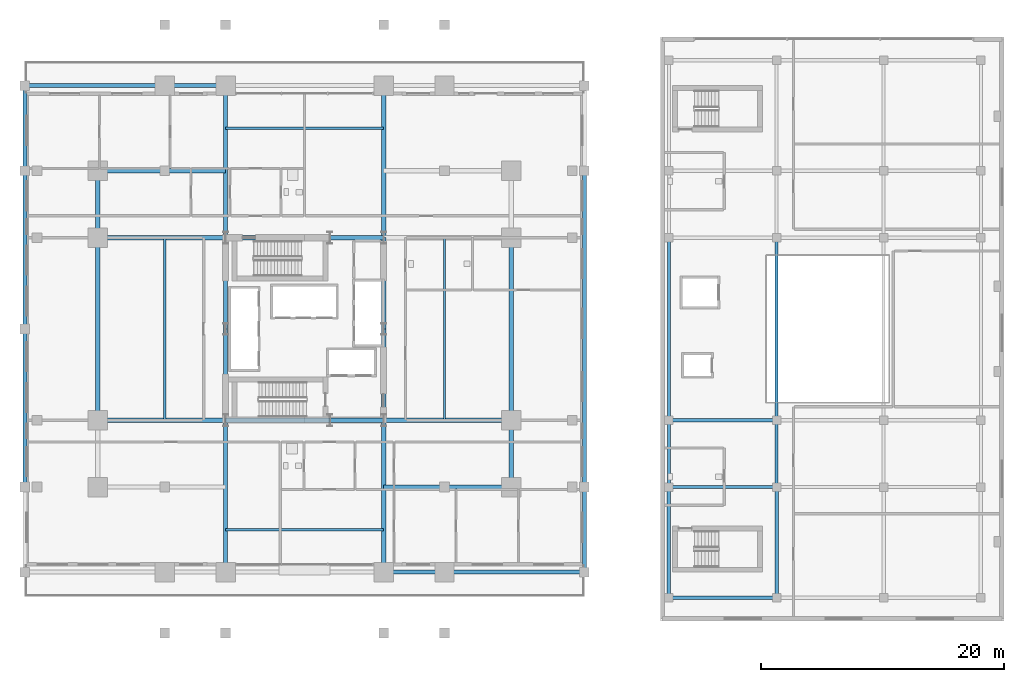
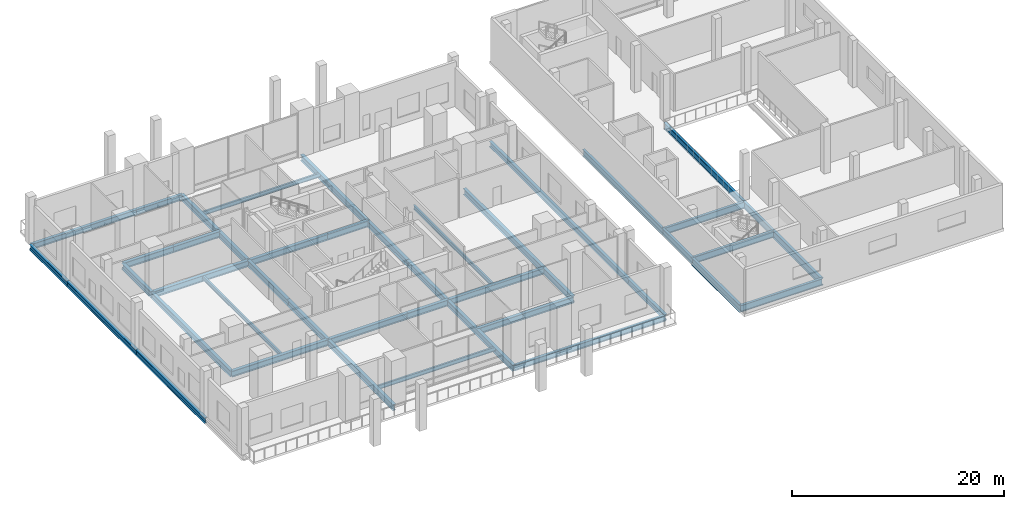
# One storey, part 4 of 22: 45 beams.
"""IFC4 building model written with IfcOpenShell, lengths in metres."""

from ifc_helpers import new_model, si_unit, direction, frame, origin, origin_2d, place, context, subcontext, project, spatial, i_section, extrude, material, material_profile, profile_set, type_object, element, save


model = new_model("IFC4")

# Units and contexts
model_context = context("Model", 3, precision=1e-05, world=origin(), true_north=direction((0.0, 1.0)))
body_context = subcontext(model_context, "Body", "Model", "MODEL_VIEW")
ifc_project = project(units=[si_unit("LENGTHUNIT", "METRE"), si_unit("AREAUNIT", "SQUARE_METRE"), si_unit("VOLUMEUNIT", "CUBIC_METRE"), si_unit("PLANEANGLEUNIT", "RADIAN"), si_unit("MASSUNIT", "GRAM", prefix="KILO")], contexts=[model_context])

# Site, building, storey
site_placement = place(None, origin())
site = spatial("IfcSite", under=ifc_project, at=site_placement, CompositionType="ELEMENT")
building_placement = place(site_placement, origin())
building = spatial("IfcBuilding", under=site, at=building_placement, Name="Barlavira Tower and Art Museum", CompositionType="ELEMENT")
storey_placement = place(building_placement, frame((0.0, 0.0, 16.800048828125)))
storey = spatial("IfcBuildingStorey", under=building, at=storey_placement, Name="L03", CompositionType="ELEMENT", Elevation=16.800048828125)

# Beams
ifc_material = material(Name="Steel S355", Category="steel")
ifc_material_profile_1 = material_profile(ifc_material, i_section(OverallWidth=0.2939453125, OverallDepth=0.85107421875, WebThickness=0.017333984375, FlangeThickness=0.0283203125, at=origin_2d()), Name="W840x251.0")
ifc_profile_set_1 = profile_set([ifc_material_profile_1], Name="Steel S355")
beam_type_1 = type_object("IfcBeamType", Name="Museum Auditorium Heavy Girder W840x251 Steel S355", PredefinedType="BEAM", material=ifc_profile_set_1)
for number, where, z_axis, x_axis, name in (
    (1, (29.949951171875, -22.10009765625, -0.74560546875), (0.0, 1.0, 0.0), (-1.0, 0.0, 0.0), "L03 Museum Girder Y 1-1"),
    (2, (38.800048828125, -22.10009765625, -0.74560546875), (0.0, 1.0, 0.0), (-1.0, 0.0, 0.0), "L03 Museum Girder Y 2-1"),
):
    element("IfcBeam", number, at=place(storey_placement, frame(where, z_axis=z_axis, x_axis=x_axis)), inside=storey, type_object=beam_type_1, Name=name, PredefinedType="BEAM", context=body_context, shape_type="SweptSolid", body=[
        extrude(i_section(OverallWidth=0.2939453125, OverallDepth=0.85107421875, WebThickness=0.017333984375, FlangeThickness=0.0283203125, at=origin_2d()), origin(), (0.0, 0.0, 1.0), 9.10009765625),
    ])
ifc_material_profile_2 = material_profile(ifc_material, i_section(OverallWidth=0.26904296875, OverallDepth=0.76806640625, WebThickness=0.016845703125, FlangeThickness=0.026611328125, at=origin_2d()), Name="W760x220.0")
ifc_profile_set_2 = profile_set([ifc_material_profile_2], Name="Steel S355")
beam_type_2 = type_object("IfcBeamType", Name="Museum Long-Span Gallery Girder W760x220 Steel S355", PredefinedType="BEAM", material=ifc_profile_set_2)
beam_1_placement = place(storey_placement, frame((29.949951171875, -13.0, -0.7041015625), z_axis=(0.0, 1.0, 0.0), x_axis=(-1.0, 0.0, 0.0)))
element("IfcBeam", 3, at=beam_1_placement, inside=storey, type_object=beam_type_2, Name="L03 Museum Girder Y 1-2", PredefinedType="BEAM", context=body_context, shape_type="SweptSolid", body=[
    extrude(i_section(OverallWidth=0.26904296875, OverallDepth=0.76806640625, WebThickness=0.016845703125, FlangeThickness=0.026611328125, at=origin_2d()), origin(), (0.0, 0.0, 1.0), 5.5),
])
beam_2_placement = place(storey_placement, frame((29.949951171875, -7.5, -0.7041015625), z_axis=(0.0, 1.0, 0.0), x_axis=(-1.0, 0.0, 0.0)))
element("IfcBeam", 4, at=beam_2_placement, inside=storey, type_object=beam_type_2, Name="L03 Museum Girder Y 1-3", PredefinedType="BEAM", context=body_context, shape_type="SweptSolid", body=[
    extrude(i_section(OverallWidth=0.26904296875, OverallDepth=0.76806640625, WebThickness=0.016845703125, FlangeThickness=0.026611328125, at=origin_2d()), origin(), (0.0, 0.0, 1.0), 15.0),
])
beam_3_placement = place(storey_placement, frame((38.800048828125, -13.0, -0.7041015625), z_axis=(0.0, 1.0, 0.0), x_axis=(-1.0, 0.0, 0.0)))
element("IfcBeam", 5, at=beam_3_placement, inside=storey, type_object=beam_type_2, Name="L03 Museum Girder Y 2-2", PredefinedType="BEAM", context=body_context, shape_type="SweptSolid", body=[
    extrude(i_section(OverallWidth=0.26904296875, OverallDepth=0.76806640625, WebThickness=0.016845703125, FlangeThickness=0.026611328125, at=origin_2d()), origin(), (0.0, 0.0, 1.0), 5.5),
])
beam_4_placement = place(storey_placement, frame((38.800048828125, -7.5, -0.7041015625), z_axis=(0.0, 1.0, 0.0), x_axis=(-1.0, 0.0, 0.0)))
element("IfcBeam", 6, at=beam_4_placement, inside=storey, type_object=beam_type_2, Name="L03 Museum Girder Y 2-3", PredefinedType="BEAM", context=body_context, shape_type="SweptSolid", body=[
    extrude(i_section(OverallWidth=0.26904296875, OverallDepth=0.76806640625, WebThickness=0.016845703125, FlangeThickness=0.026611328125, at=origin_2d()), origin(), (0.0, 0.0, 1.0), 15.0),
])
for number, where, z_axis, x_axis, name in (
    (7, (29.949951171875, -22.10009765625, -0.7041015625), (1.0, 0.0, 0.0), (0.0, 1.0, 0.0), "L03 Museum Girder X 1-1"),
    (8, (29.949951171875, -13.0, -0.7041015625), (1.0, 0.0, 0.0), (0.0, 1.0, 0.0), "L03 Museum Girder X 2-1"),
    (9, (29.949951171875, -7.5, -0.7041015625), (1.0, 0.0, 0.0), (0.0, 1.0, 0.0), "L03 Museum Girder X 3-1"),
):
    element("IfcBeam", number, at=place(storey_placement, frame(where, z_axis=z_axis, x_axis=x_axis)), inside=storey, type_object=beam_type_2, Name=name, PredefinedType="BEAM", context=body_context, shape_type="SweptSolid", body=[
        extrude(i_section(OverallWidth=0.26904296875, OverallDepth=0.76806640625, WebThickness=0.016845703125, FlangeThickness=0.026611328125, at=origin_2d()), origin(), (0.0, 0.0, 1.0), 8.85009765625),
    ])
ifc_material_profile_3 = material_profile(ifc_material, i_section(OverallWidth=0.327880859375, OverallDepth=0.62890625, WebThickness=0.013916015625, FlangeThickness=0.021484375, at=origin_2d()), Name="W610x174.0")
ifc_profile_set_3 = profile_set([ifc_material_profile_3], Name="Steel S355")
beam_type_3 = type_object("IfcBeamType", Name="Perimeter Spandrel Edge Beam W610x174 Steel S355", PredefinedType="SPANDREL", material=ifc_profile_set_3)
beam_5_placement = place(storey_placement, frame((6.5, -20.0, -0.594482421875), z_axis=(1.0, 0.0, 0.0), x_axis=(0.0, 1.0, 0.0)))
element("IfcBeam", 10, at=beam_5_placement, inside=storey, type_object=beam_type_3, Name="L03 Podium Spandrel PS4", PredefinedType="SPANDREL", context=body_context, shape_type="SweptSolid", body=[
    extrude(i_section(OverallWidth=0.327880859375, OverallDepth=0.62890625, WebThickness=0.013916015625, FlangeThickness=0.021484375, at=origin_2d()), origin(), (0.0, 0.0, 1.0), 5.0),
])
for number, where, z_axis, x_axis, name in (
    (11, (11.5, -20.0, -0.594482421875), (1.0, 0.0, 0.0), (0.0, 1.0, 0.0), "L03 Podium Spandrel PS5"),
    (12, (-23.0, 20.0, -0.594482421875), (1.0, 0.0, 0.0), (0.0, 1.0, 0.0), "L03 Podium Spandrel PN1"),
):
    element("IfcBeam", number, at=place(storey_placement, frame(where, z_axis=z_axis, x_axis=x_axis)), inside=storey, type_object=beam_type_3, Name=name, PredefinedType="SPANDREL", context=body_context, shape_type="SweptSolid", body=[
        extrude(i_section(OverallWidth=0.327880859375, OverallDepth=0.62890625, WebThickness=0.013916015625, FlangeThickness=0.021484375, at=origin_2d()), origin(), (0.0, 0.0, 1.0), 11.5),
    ])
beam_6_placement = place(storey_placement, frame((-11.5, 20.0, -0.594482421875), z_axis=(1.0, 0.0, 0.0), x_axis=(0.0, 1.0, 0.0)))
element("IfcBeam", 13, at=beam_6_placement, inside=storey, type_object=beam_type_3, Name="L03 Podium Spandrel PN2", PredefinedType="SPANDREL", context=body_context, shape_type="SweptSolid", body=[
    extrude(i_section(OverallWidth=0.327880859375, OverallDepth=0.62890625, WebThickness=0.013916015625, FlangeThickness=0.021484375, at=origin_2d()), origin(), (0.0, 0.0, 1.0), 5.0),
])
for number, where, z_axis, x_axis, name in (
    (14, (-23.0, -13.0, -0.594482421875), (0.0, 1.0, 0.0), (-1.0, 0.0, 0.0), "L03 Podium Spandrel PW2"),
    (15, (-23.0, 0.0, -0.594482421875), (0.0, 1.0, 0.0), (-1.0, 0.0, 0.0), "L03 Podium Spandrel PW3"),
):
    element("IfcBeam", number, at=place(storey_placement, frame(where, z_axis=z_axis, x_axis=x_axis)), inside=storey, type_object=beam_type_3, Name=name, PredefinedType="SPANDREL", context=body_context, shape_type="SweptSolid", body=[
        extrude(i_section(OverallWidth=0.327880859375, OverallDepth=0.62890625, WebThickness=0.013916015625, FlangeThickness=0.021484375, at=origin_2d()), origin(), (0.0, 0.0, 1.0), 13.0),
    ])
for number, where, z_axis, x_axis, name in (
    (16, (-23.0, 13.0, -0.594482421875), (0.0, 1.0, 0.0), (-1.0, 0.0, 0.0), "L03 Podium Spandrel PW4"),
    (17, (23.0, -20.0, -0.594482421875), (0.0, 1.0, 0.0), (-1.0, 0.0, 0.0), "L03 Podium Spandrel PE1"),
):
    element("IfcBeam", number, at=place(storey_placement, frame(where, z_axis=z_axis, x_axis=x_axis)), inside=storey, type_object=beam_type_3, Name=name, PredefinedType="SPANDREL", context=body_context, shape_type="SweptSolid", body=[
        extrude(i_section(OverallWidth=0.327880859375, OverallDepth=0.62890625, WebThickness=0.013916015625, FlangeThickness=0.021484375, at=origin_2d()), origin(), (0.0, 0.0, 1.0), 7.0),
    ])
beam_7_placement = place(storey_placement, frame((23.0, -13.0, -0.594482421875), z_axis=(0.0, 1.0, 0.0), x_axis=(-1.0, 0.0, 0.0)))
element("IfcBeam", 18, at=beam_7_placement, inside=storey, type_object=beam_type_3, Name="L03 Podium Spandrel PE2", PredefinedType="SPANDREL", context=body_context, shape_type="SweptSolid", body=[
    extrude(i_section(OverallWidth=0.327880859375, OverallDepth=0.62890625, WebThickness=0.013916015625, FlangeThickness=0.021484375, at=origin_2d()), origin(), (0.0, 0.0, 1.0), 26.0),
])
ifc_material_profile_4 = material_profile(ifc_material, i_section(OverallWidth=0.19189453125, OverallDepth=0.462890625, WebThickness=0.010498046875, FlangeThickness=0.017578125, at=origin_2d()), Name="W460x89.0")
ifc_profile_set_4 = profile_set([ifc_material_profile_4], Name="Steel S355")
beam_type_4 = type_object("IfcBeamType", Name="Podium Floor Joist W460x89 Steel S355", PredefinedType="JOIST", material=ifc_profile_set_4)
for number, where, z_axis, x_axis, name in (
    (19, (-6.5, -16.5, -0.511474609375), (1.0, 0.0, 0.0), (0.0, 1.0, 0.0), "L03 Joist C1"),
    (20, (-6.5, 16.5, -0.511474609375), (1.0, 0.0, 0.0), (0.0, 1.0, 0.0), "L03 Joist C2"),
):
    element("IfcBeam", number, at=place(storey_placement, frame(where, z_axis=z_axis, x_axis=x_axis)), inside=storey, type_object=beam_type_4, Name=name, PredefinedType="JOIST", context=body_context, shape_type="SweptSolid", body=[
        extrude(i_section(OverallWidth=0.19189453125, OverallDepth=0.462890625, WebThickness=0.010498046875, FlangeThickness=0.017578125, at=origin_2d()), origin(), (0.0, 0.0, 1.0), 13.0),
    ])
for number, where, z_axis, x_axis, name in (
    (21, (-11.5, -7.5, -0.511474609375), (0.0, 1.0, 0.0), (-1.0, 0.0, 0.0), "L03 Joist W1"),
    (22, (11.5, -7.5, -0.511474609375), (0.0, 1.0, 0.0), (-1.0, 0.0, 0.0), "L03 Joist W2"),
):
    element("IfcBeam", number, at=place(storey_placement, frame(where, z_axis=z_axis, x_axis=x_axis)), inside=storey, type_object=beam_type_4, Name=name, PredefinedType="JOIST", context=body_context, shape_type="SweptSolid", body=[
        extrude(i_section(OverallWidth=0.19189453125, OverallDepth=0.462890625, WebThickness=0.010498046875, FlangeThickness=0.017578125, at=origin_2d()), origin(), (0.0, 0.0, 1.0), 15.0),
    ])
ifc_material_profile_5 = material_profile(ifc_material, i_section(OverallWidth=0.35595703125, OverallDepth=0.695068359375, WebThickness=0.014892578125, FlangeThickness=0.023681640625, at=origin_2d()), Name="W690x192.0")
ifc_profile_set_5 = profile_set([ifc_material_profile_5], Name="Steel S355")
beam_type_5 = type_object("IfcBeamType", Name="Podium Primary Girder W690x192 Steel S355", PredefinedType="BEAM", material=ifc_profile_set_5)
beam_8_placement = place(storey_placement, frame((-6.5, -7.5, -0.62744140625), z_axis=(1.0, 0.0, 0.0), x_axis=(0.0, 1.0, 0.0)))
element("IfcBeam", 23, at=beam_8_placement, inside=storey, type_object=beam_type_5, Name="L03 Girder C-S1", PredefinedType="BEAM", context=body_context, shape_type="SweptSolid", body=[
    extrude(i_section(OverallWidth=0.35595703125, OverallDepth=0.695068359375, WebThickness=0.014892578125, FlangeThickness=0.023681640625, at=origin_2d()), origin(), (0.0, 0.0, 1.0), 8.580078125),
])
beam_9_placement = place(storey_placement, frame((2.080078125, -7.5, -0.62744140625), z_axis=(1.0, 0.0, 0.0), x_axis=(0.0, 1.0, 0.0)))
element("IfcBeam", 24, at=beam_9_placement, inside=storey, type_object=beam_type_5, Name="L03 Girder C-S2", PredefinedType="BEAM", context=body_context, shape_type="SweptSolid", body=[
    extrude(i_section(OverallWidth=0.35595703125, OverallDepth=0.695068359375, WebThickness=0.014892578125, FlangeThickness=0.023681640625, at=origin_2d()), origin(), (0.0, 0.0, 1.0), 4.419921875),
])
beam_10_placement = place(storey_placement, frame((-6.5, 7.5, -0.62744140625), z_axis=(1.0, 0.0, 0.0), x_axis=(0.0, 1.0, 0.0)))
element("IfcBeam", 25, at=beam_10_placement, inside=storey, type_object=beam_type_5, Name="L03 Girder C-N1", PredefinedType="BEAM", context=body_context, shape_type="SweptSolid", body=[
    extrude(i_section(OverallWidth=0.35595703125, OverallDepth=0.695068359375, WebThickness=0.014892578125, FlangeThickness=0.023681640625, at=origin_2d()), origin(), (0.0, 0.0, 1.0), 8.580078125),
])
beam_11_placement = place(storey_placement, frame((2.080078125, 7.5, -0.62744140625), z_axis=(1.0, 0.0, 0.0), x_axis=(0.0, 1.0, 0.0)))
element("IfcBeam", 26, at=beam_11_placement, inside=storey, type_object=beam_type_5, Name="L03 Girder C-N2", PredefinedType="BEAM", context=body_context, shape_type="SweptSolid", body=[
    extrude(i_section(OverallWidth=0.35595703125, OverallDepth=0.695068359375, WebThickness=0.014892578125, FlangeThickness=0.023681640625, at=origin_2d()), origin(), (0.0, 0.0, 1.0), 4.419921875),
])
for number, where, z_axis, x_axis, name in (
    (27, (-6.5, -7.5, -0.62744140625), (0.0, 1.0, 0.0), (-1.0, 0.0, 0.0), "L03 Girder C-W1"),
    (28, (-6.5, 0.0, -0.62744140625), (0.0, 1.0, 0.0), (-1.0, 0.0, 0.0), "L03 Girder C-W2"),
    (29, (6.5, -7.5, -0.62744140625), (0.0, 1.0, 0.0), (-1.0, 0.0, 0.0), "L03 Girder C-E1"),
    (30, (6.5, 0.0, -0.62744140625), (0.0, 1.0, 0.0), (-1.0, 0.0, 0.0), "L03 Girder C-E2"),
):
    element("IfcBeam", number, at=place(storey_placement, frame(where, z_axis=z_axis, x_axis=x_axis)), inside=storey, type_object=beam_type_5, Name=name, PredefinedType="BEAM", context=body_context, shape_type="SweptSolid", body=[
        extrude(i_section(OverallWidth=0.35595703125, OverallDepth=0.695068359375, WebThickness=0.014892578125, FlangeThickness=0.023681640625, at=origin_2d()), origin(), (0.0, 0.0, 1.0), 7.5),
    ])
beam_12_placement = place(storey_placement, frame((-17.0, -7.5, -0.62744140625), z_axis=(0.0, 1.0, 0.0), x_axis=(-1.0, 0.0, 0.0)))
element("IfcBeam", 31, at=beam_12_placement, inside=storey, type_object=beam_type_5, Name="L03 Girder M-W2", PredefinedType="BEAM", context=body_context, shape_type="SweptSolid", body=[
    extrude(i_section(OverallWidth=0.35595703125, OverallDepth=0.695068359375, WebThickness=0.014892578125, FlangeThickness=0.023681640625, at=origin_2d()), origin(), (0.0, 0.0, 1.0), 15.0),
])
for number, where, z_axis, x_axis, name in (
    (32, (-17.0, 7.5, -0.62744140625), (0.0, 1.0, 0.0), (-1.0, 0.0, 0.0), "L03 Girder M-W3"),
    (33, (17.0, -13.0, -0.62744140625), (0.0, 1.0, 0.0), (-1.0, 0.0, 0.0), "L03 Girder M-E1"),
):
    element("IfcBeam", number, at=place(storey_placement, frame(where, z_axis=z_axis, x_axis=x_axis)), inside=storey, type_object=beam_type_5, Name=name, PredefinedType="BEAM", context=body_context, shape_type="SweptSolid", body=[
        extrude(i_section(OverallWidth=0.35595703125, OverallDepth=0.695068359375, WebThickness=0.014892578125, FlangeThickness=0.023681640625, at=origin_2d()), origin(), (0.0, 0.0, 1.0), 5.5),
    ])
beam_13_placement = place(storey_placement, frame((17.0, -7.5, -0.62744140625), z_axis=(0.0, 1.0, 0.0), x_axis=(-1.0, 0.0, 0.0)))
element("IfcBeam", 34, at=beam_13_placement, inside=storey, type_object=beam_type_5, Name="L03 Girder M-E2", PredefinedType="BEAM", context=body_context, shape_type="SweptSolid", body=[
    extrude(i_section(OverallWidth=0.35595703125, OverallDepth=0.695068359375, WebThickness=0.014892578125, FlangeThickness=0.023681640625, at=origin_2d()), origin(), (0.0, 0.0, 1.0), 15.0),
])
for number, where, z_axis, x_axis, name in (
    (35, (-6.5, -20.0, -0.62744140625), (0.0, 1.0, 0.0), (-1.0, 0.0, 0.0), "L03 Girder R-S1"),
    (36, (6.5, -20.0, -0.62744140625), (0.0, 1.0, 0.0), (-1.0, 0.0, 0.0), "L03 Girder R-S2"),
    (37, (-6.5, 7.5, -0.62744140625), (0.0, 1.0, 0.0), (-1.0, 0.0, 0.0), "L03 Girder R-N1"),
    (38, (6.5, 7.5, -0.62744140625), (0.0, 1.0, 0.0), (-1.0, 0.0, 0.0), "L03 Girder R-N2"),
):
    element("IfcBeam", number, at=place(storey_placement, frame(where, z_axis=z_axis, x_axis=x_axis)), inside=storey, type_object=beam_type_5, Name=name, PredefinedType="BEAM", context=body_context, shape_type="SweptSolid", body=[
        extrude(i_section(OverallWidth=0.35595703125, OverallDepth=0.695068359375, WebThickness=0.014892578125, FlangeThickness=0.023681640625, at=origin_2d()), origin(), (0.0, 0.0, 1.0), 12.5),
    ])
for number, where, z_axis, x_axis, name in (
    (39, (-17.0, -7.5, -0.62744140625), (1.0, 0.0, 0.0), (0.0, 1.0, 0.0), "L03 Girder R-W1"),
    (40, (-17.0, 7.5, -0.62744140625), (1.0, 0.0, 0.0), (0.0, 1.0, 0.0), "L03 Girder R-W2"),
    (41, (6.5, -7.5, -0.62744140625), (1.0, 0.0, 0.0), (0.0, 1.0, 0.0), "L03 Girder R-E1"),
):
    element("IfcBeam", number, at=place(storey_placement, frame(where, z_axis=z_axis, x_axis=x_axis)), inside=storey, type_object=beam_type_5, Name=name, PredefinedType="BEAM", context=body_context, shape_type="SweptSolid", body=[
        extrude(i_section(OverallWidth=0.35595703125, OverallDepth=0.695068359375, WebThickness=0.014892578125, FlangeThickness=0.023681640625, at=origin_2d()), origin(), (0.0, 0.0, 1.0), 10.5),
    ])
beam_14_placement = place(storey_placement, frame((6.5, -13.0, -0.62744140625), z_axis=(1.0, 0.0, 0.0), x_axis=(0.0, 1.0, 0.0)))
element("IfcBeam", 42, at=beam_14_placement, inside=storey, type_object=beam_type_5, Name="L03 Girder I-S3", PredefinedType="BEAM", context=body_context, shape_type="SweptSolid", body=[
    extrude(i_section(OverallWidth=0.35595703125, OverallDepth=0.695068359375, WebThickness=0.014892578125, FlangeThickness=0.023681640625, at=origin_2d()), origin(), (0.0, 0.0, 1.0), 5.0),
])
for number, where, z_axis, x_axis, name in (
    (43, (11.5, -13.0, -0.62744140625), (1.0, 0.0, 0.0), (0.0, 1.0, 0.0), "L03 Girder I-S4"),
    (44, (-17.0, 13.0, -0.62744140625), (1.0, 0.0, 0.0), (0.0, 1.0, 0.0), "L03 Girder I-N1"),
):
    element("IfcBeam", number, at=place(storey_placement, frame(where, z_axis=z_axis, x_axis=x_axis)), inside=storey, type_object=beam_type_5, Name=name, PredefinedType="BEAM", context=body_context, shape_type="SweptSolid", body=[
        extrude(i_section(OverallWidth=0.35595703125, OverallDepth=0.695068359375, WebThickness=0.014892578125, FlangeThickness=0.023681640625, at=origin_2d()), origin(), (0.0, 0.0, 1.0), 5.5),
    ])
beam_15_placement = place(storey_placement, frame((-11.5, 13.0, -0.62744140625), z_axis=(1.0, 0.0, 0.0), x_axis=(0.0, 1.0, 0.0)))
element("IfcBeam", 45, at=beam_15_placement, inside=storey, type_object=beam_type_5, Name="L03 Girder I-N2", PredefinedType="BEAM", context=body_context, shape_type="SweptSolid", body=[
    extrude(i_section(OverallWidth=0.35595703125, OverallDepth=0.695068359375, WebThickness=0.014892578125, FlangeThickness=0.023681640625, at=origin_2d()), origin(), (0.0, 0.0, 1.0), 5.0),
])

save(model, "model.ifc")
